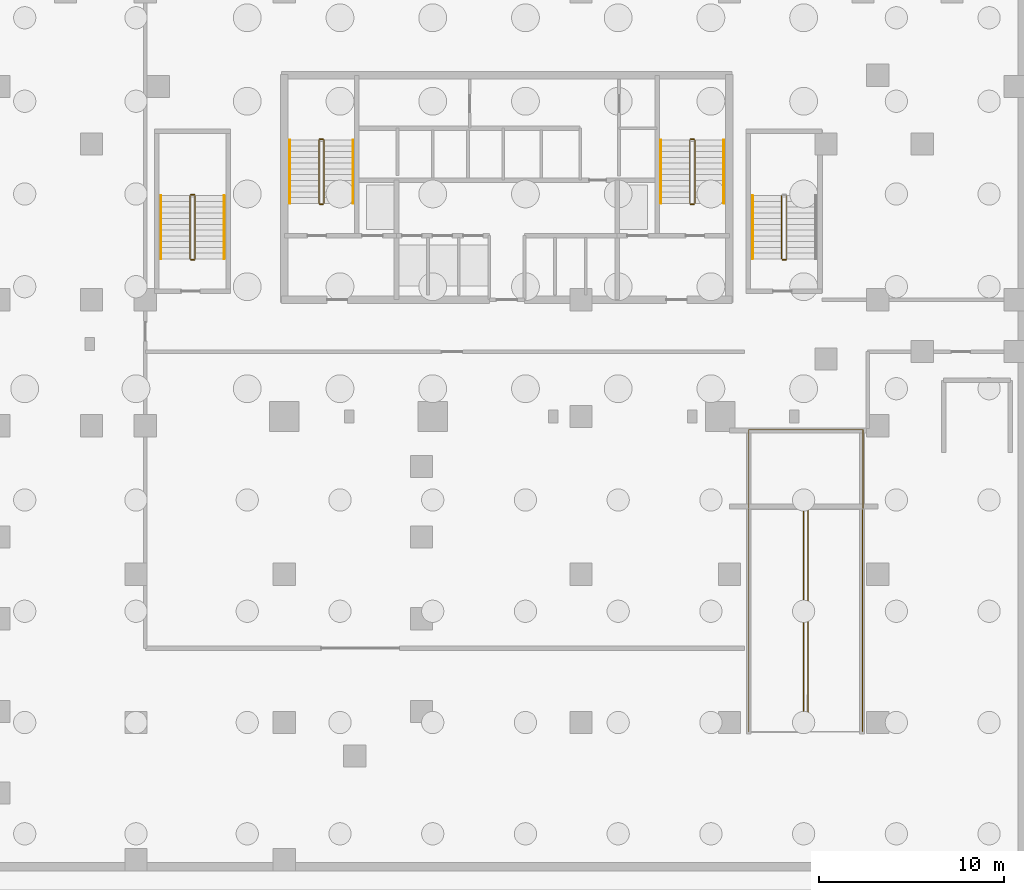
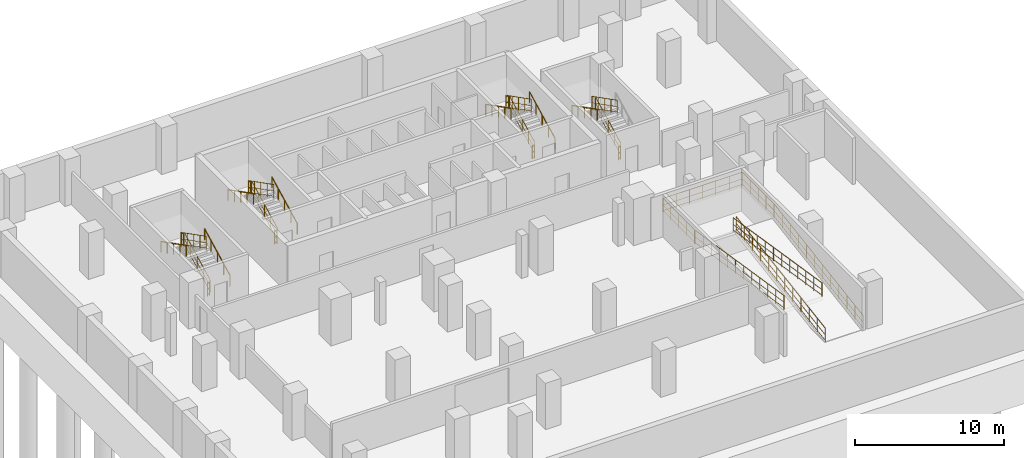
# One storey, part 4 of 6: 27 railings.
"""IFC4 building model written with IfcOpenShell, lengths in metres."""

from ifc_helpers import new_model, si_unit, direction, frame, origin, origin_2d, place, context, subcontext, project, spatial, circle, extrude, material, type_object, element, save


model = new_model("IFC4")

# Units and contexts
model_context = context("Model", 3, precision=1e-05, world=origin(), true_north=direction((0.0, 1.0)))
body_context = subcontext(model_context, "Body", "Model", "MODEL_VIEW")
ifc_project = project(units=[si_unit("LENGTHUNIT", "METRE"), si_unit("AREAUNIT", "SQUARE_METRE"), si_unit("VOLUMEUNIT", "CUBIC_METRE"), si_unit("PLANEANGLEUNIT", "RADIAN"), si_unit("MASSUNIT", "GRAM", prefix="KILO")], contexts=[model_context])

# Site, building, storey
site_placement = place(None, origin())
site = spatial("IfcSite", under=ifc_project, at=site_placement, CompositionType="ELEMENT")
building_placement = place(site_placement, origin())
building = spatial("IfcBuilding", under=site, at=building_placement, Name="Catumbela Crestline Tower", CompositionType="ELEMENT")
storey_placement = place(building_placement, frame((0.0, 0.0, -13.2)))
storey = spatial("IfcBuildingStorey", under=building, at=storey_placement, Name="B03", CompositionType="ELEMENT", Elevation=-13.2)

# Railings
ifc_material = material(Name="Stainless steel EN 1.4401", Category="steel")
railing_type_1 = type_object("IfcRailingType", Name="RG-1100", PredefinedType="GUARDRAIL", material=ifc_material)
railing_1_placement = place(storey_placement, frame((18.14, 36.0, 0.1583)))
element("IfcRailing", 1, at=railing_1_placement, inside=storey, type_object=railing_type_1, Name="B03 ST-01 stair guard 1", PredefinedType="GUARDRAIL", context=body_context, shape_type="SweptSolid", body=[
    extrude(circle(Radius=0.024, at=origin_2d()), frame((0.0, 0.0, 1.076), z_axis=(0.0, 0.890560473983, 0.454864861447), x_axis=(-1.0, 0.0, 0.0)), (0.0, 0.0, 1.0), 3.829),
    extrude(circle(Radius=0.0156, at=origin_2d()), frame((0.0, 0.0, 0.55), z_axis=(0.0, 0.890560473983, 0.454864861447), x_axis=(-1.0, 0.0, 0.0)), (0.0, 0.0, 1.0), 3.829),
    extrude(circle(Radius=0.0156, at=origin_2d()), frame((0.0, 0.0, 0.12), z_axis=(0.0, 0.890560473983, 0.454864861447), x_axis=(-1.0, 0.0, 0.0)), (0.0, 0.0, 1.0), 3.829),
    extrude(circle(Radius=0.021, at=origin_2d()), origin(), (0.0, 0.0, 1.0), 1.052),
    extrude(circle(Radius=0.021, at=origin_2d()), frame((0.0, 0.8525, 0.4354)), (0.0, 0.0, 1.0), 1.052),
    extrude(circle(Radius=0.021, at=origin_2d()), frame((0.0, 1.705, 0.8708)), (0.0, 0.0, 1.0), 1.052),
    extrude(circle(Radius=0.021, at=origin_2d()), frame((0.0, 2.5575, 1.3063)), (0.0, 0.0, 1.0), 1.052),
    extrude(circle(Radius=0.021, at=origin_2d()), frame((0.0, 3.41, 1.7417)), (0.0, 0.0, 1.0), 1.052),
])
railing_2_placement = place(storey_placement, frame((18.09, 39.46, 1.9)))
element("IfcRailing", 2, at=railing_2_placement, inside=storey, type_object=railing_type_1, Name="B03 ST-01 stair guard 2", PredefinedType="GUARDRAIL", context=body_context, shape_type="SweptSolid", body=[
    extrude(circle(Radius=0.024, at=origin_2d()), frame((0.0, 0.0, 1.076), z_axis=(-1.0, 0.0, 0.0), x_axis=(0.0, -1.0, 0.0)), (0.0, 0.0, 1.0), 0.18),
    extrude(circle(Radius=0.0156, at=origin_2d()), frame((0.0, 0.0, 0.55), z_axis=(-1.0, 0.0, 0.0), x_axis=(0.0, -1.0, 0.0)), (0.0, 0.0, 1.0), 0.18),
    extrude(circle(Radius=0.0156, at=origin_2d()), frame((0.0, 0.0, 0.12), z_axis=(-1.0, 0.0, 0.0), x_axis=(0.0, -1.0, 0.0)), (0.0, 0.0, 1.0), 0.18),
    extrude(circle(Radius=0.021, at=origin_2d()), origin(), (0.0, 0.0, 1.0), 1.052),
    extrude(circle(Radius=0.021, at=origin_2d()), frame((-0.18, 0.0, 0.0)), (0.0, 0.0, 1.0), 1.052),
])
railing_3_placement = place(storey_placement, frame((17.86, 39.41, 2.0583)))
element("IfcRailing", 3, at=railing_3_placement, inside=storey, type_object=railing_type_1, Name="B03 ST-01 stair guard 3", PredefinedType="GUARDRAIL", context=body_context, shape_type="SweptSolid", body=[
    extrude(circle(Radius=0.024, at=origin_2d()), frame((0.0, 0.0, 1.076), z_axis=(0.0, -0.890560473983, 0.454864861447), x_axis=(1.0, 0.0, 0.0)), (0.0, 0.0, 1.0), 3.829),
    extrude(circle(Radius=0.0156, at=origin_2d()), frame((0.0, 0.0, 0.55), z_axis=(0.0, -0.890560473983, 0.454864861447), x_axis=(1.0, 0.0, 0.0)), (0.0, 0.0, 1.0), 3.829),
    extrude(circle(Radius=0.0156, at=origin_2d()), frame((0.0, 0.0, 0.12), z_axis=(0.0, -0.890560473983, 0.454864861447), x_axis=(1.0, 0.0, 0.0)), (0.0, 0.0, 1.0), 3.829),
    extrude(circle(Radius=0.021, at=origin_2d()), origin(), (0.0, 0.0, 1.0), 1.052),
    extrude(circle(Radius=0.021, at=origin_2d()), frame((0.0, -0.8525, 0.4354)), (0.0, 0.0, 1.0), 1.052),
    extrude(circle(Radius=0.021, at=origin_2d()), frame((0.0, -1.705, 0.8708)), (0.0, 0.0, 1.0), 1.052),
    extrude(circle(Radius=0.021, at=origin_2d()), frame((0.0, -2.5575, 1.3063)), (0.0, 0.0, 1.0), 1.052),
    extrude(circle(Radius=0.021, at=origin_2d()), frame((0.0, -3.41, 1.7417)), (0.0, 0.0, 1.0), 1.052),
])
railing_4_placement = place(storey_placement, frame((18.09, 35.95, 0.0)))
element("IfcRailing", 4, at=railing_4_placement, inside=storey, type_object=railing_type_1, Name="B03 ST-01 stair guard 4", PredefinedType="GUARDRAIL", context=body_context, shape_type="SweptSolid", body=[
    extrude(circle(Radius=0.024, at=origin_2d()), frame((0.0, 0.0, 1.076), z_axis=(-1.0, 0.0, 0.0), x_axis=(0.0, -1.0, 0.0)), (0.0, 0.0, 1.0), 0.18),
    extrude(circle(Radius=0.0156, at=origin_2d()), frame((0.0, 0.0, 0.55), z_axis=(-1.0, 0.0, 0.0), x_axis=(0.0, -1.0, 0.0)), (0.0, 0.0, 1.0), 0.18),
    extrude(circle(Radius=0.0156, at=origin_2d()), frame((0.0, 0.0, 0.12), z_axis=(-1.0, 0.0, 0.0), x_axis=(0.0, -1.0, 0.0)), (0.0, 0.0, 1.0), 0.18),
    extrude(circle(Radius=0.021, at=origin_2d()), origin(), (0.0, 0.0, 1.0), 1.052),
    extrude(circle(Radius=0.021, at=origin_2d()), frame((-0.18, 0.0, 0.0)), (0.0, 0.0, 1.0), 1.052),
])
railing_5_placement = place(storey_placement, frame((38.14, 36.0, 0.1583)))
element("IfcRailing", 5, at=railing_5_placement, inside=storey, type_object=railing_type_1, Name="B03 ST-02 stair guard 1", PredefinedType="GUARDRAIL", context=body_context, shape_type="SweptSolid", body=[
    extrude(circle(Radius=0.024, at=origin_2d()), frame((0.0, 0.0, 1.076), z_axis=(0.0, 0.890560473983, 0.454864861447), x_axis=(-1.0, 0.0, 0.0)), (0.0, 0.0, 1.0), 3.829),
    extrude(circle(Radius=0.0156, at=origin_2d()), frame((0.0, 0.0, 0.55), z_axis=(0.0, 0.890560473983, 0.454864861447), x_axis=(-1.0, 0.0, 0.0)), (0.0, 0.0, 1.0), 3.829),
    extrude(circle(Radius=0.0156, at=origin_2d()), frame((0.0, 0.0, 0.12), z_axis=(0.0, 0.890560473983, 0.454864861447), x_axis=(-1.0, 0.0, 0.0)), (0.0, 0.0, 1.0), 3.829),
    extrude(circle(Radius=0.021, at=origin_2d()), origin(), (0.0, 0.0, 1.0), 1.052),
    extrude(circle(Radius=0.021, at=origin_2d()), frame((0.0, 0.8525, 0.4354)), (0.0, 0.0, 1.0), 1.052),
    extrude(circle(Radius=0.021, at=origin_2d()), frame((0.0, 1.705, 0.8708)), (0.0, 0.0, 1.0), 1.052),
    extrude(circle(Radius=0.021, at=origin_2d()), frame((0.0, 2.5575, 1.3063)), (0.0, 0.0, 1.0), 1.052),
    extrude(circle(Radius=0.021, at=origin_2d()), frame((0.0, 3.41, 1.7417)), (0.0, 0.0, 1.0), 1.052),
])
railing_6_placement = place(storey_placement, frame((38.09, 39.46, 1.9)))
element("IfcRailing", 6, at=railing_6_placement, inside=storey, type_object=railing_type_1, Name="B03 ST-02 stair guard 2", PredefinedType="GUARDRAIL", context=body_context, shape_type="SweptSolid", body=[
    extrude(circle(Radius=0.024, at=origin_2d()), frame((0.0, 0.0, 1.076), z_axis=(-1.0, 0.0, 0.0), x_axis=(0.0, -1.0, 0.0)), (0.0, 0.0, 1.0), 0.18),
    extrude(circle(Radius=0.0156, at=origin_2d()), frame((0.0, 0.0, 0.55), z_axis=(-1.0, 0.0, 0.0), x_axis=(0.0, -1.0, 0.0)), (0.0, 0.0, 1.0), 0.18),
    extrude(circle(Radius=0.0156, at=origin_2d()), frame((0.0, 0.0, 0.12), z_axis=(-1.0, 0.0, 0.0), x_axis=(0.0, -1.0, 0.0)), (0.0, 0.0, 1.0), 0.18),
    extrude(circle(Radius=0.021, at=origin_2d()), origin(), (0.0, 0.0, 1.0), 1.052),
    extrude(circle(Radius=0.021, at=origin_2d()), frame((-0.18, 0.0, 0.0)), (0.0, 0.0, 1.0), 1.052),
])
railing_7_placement = place(storey_placement, frame((37.86, 39.41, 2.0583)))
element("IfcRailing", 7, at=railing_7_placement, inside=storey, type_object=railing_type_1, Name="B03 ST-02 stair guard 3", PredefinedType="GUARDRAIL", context=body_context, shape_type="SweptSolid", body=[
    extrude(circle(Radius=0.024, at=origin_2d()), frame((0.0, 0.0, 1.076), z_axis=(0.0, -0.890560473983, 0.454864861447), x_axis=(1.0, 0.0, 0.0)), (0.0, 0.0, 1.0), 3.829),
    extrude(circle(Radius=0.0156, at=origin_2d()), frame((0.0, 0.0, 0.55), z_axis=(0.0, -0.890560473983, 0.454864861447), x_axis=(1.0, 0.0, 0.0)), (0.0, 0.0, 1.0), 3.829),
    extrude(circle(Radius=0.0156, at=origin_2d()), frame((0.0, 0.0, 0.12), z_axis=(0.0, -0.890560473983, 0.454864861447), x_axis=(1.0, 0.0, 0.0)), (0.0, 0.0, 1.0), 3.829),
    extrude(circle(Radius=0.021, at=origin_2d()), origin(), (0.0, 0.0, 1.0), 1.052),
    extrude(circle(Radius=0.021, at=origin_2d()), frame((0.0, -0.8525, 0.4354)), (0.0, 0.0, 1.0), 1.052),
    extrude(circle(Radius=0.021, at=origin_2d()), frame((0.0, -1.705, 0.8708)), (0.0, 0.0, 1.0), 1.052),
    extrude(circle(Radius=0.021, at=origin_2d()), frame((0.0, -2.5575, 1.3063)), (0.0, 0.0, 1.0), 1.052),
    extrude(circle(Radius=0.021, at=origin_2d()), frame((0.0, -3.41, 1.7417)), (0.0, 0.0, 1.0), 1.052),
])
railing_8_placement = place(storey_placement, frame((38.09, 35.95, 0.0)))
element("IfcRailing", 8, at=railing_8_placement, inside=storey, type_object=railing_type_1, Name="B03 ST-02 stair guard 4", PredefinedType="GUARDRAIL", context=body_context, shape_type="SweptSolid", body=[
    extrude(circle(Radius=0.024, at=origin_2d()), frame((0.0, 0.0, 1.076), z_axis=(-1.0, 0.0, 0.0), x_axis=(0.0, -1.0, 0.0)), (0.0, 0.0, 1.0), 0.18),
    extrude(circle(Radius=0.0156, at=origin_2d()), frame((0.0, 0.0, 0.55), z_axis=(-1.0, 0.0, 0.0), x_axis=(0.0, -1.0, 0.0)), (0.0, 0.0, 1.0), 0.18),
    extrude(circle(Radius=0.0156, at=origin_2d()), frame((0.0, 0.0, 0.12), z_axis=(-1.0, 0.0, 0.0), x_axis=(0.0, -1.0, 0.0)), (0.0, 0.0, 1.0), 0.18),
    extrude(circle(Radius=0.021, at=origin_2d()), origin(), (0.0, 0.0, 1.0), 1.052),
    extrude(circle(Radius=0.021, at=origin_2d()), frame((-0.18, 0.0, 0.0)), (0.0, 0.0, 1.0), 1.052),
])
railing_9_placement = place(storey_placement, frame((11.19, 33.0, 0.1583)))
element("IfcRailing", 9, at=railing_9_placement, inside=storey, type_object=railing_type_1, Name="B03 ST-03 stair guard 1", PredefinedType="GUARDRAIL", context=body_context, shape_type="SweptSolid", body=[
    extrude(circle(Radius=0.024, at=origin_2d()), frame((0.0, 0.0, 1.076), z_axis=(0.0, 0.890560473983, 0.454864861447), x_axis=(-1.0, 0.0, 0.0)), (0.0, 0.0, 1.0), 3.829),
    extrude(circle(Radius=0.0156, at=origin_2d()), frame((0.0, 0.0, 0.55), z_axis=(0.0, 0.890560473983, 0.454864861447), x_axis=(-1.0, 0.0, 0.0)), (0.0, 0.0, 1.0), 3.829),
    extrude(circle(Radius=0.0156, at=origin_2d()), frame((0.0, 0.0, 0.12), z_axis=(0.0, 0.890560473983, 0.454864861447), x_axis=(-1.0, 0.0, 0.0)), (0.0, 0.0, 1.0), 3.829),
    extrude(circle(Radius=0.021, at=origin_2d()), origin(), (0.0, 0.0, 1.0), 1.052),
    extrude(circle(Radius=0.021, at=origin_2d()), frame((0.0, 0.8525, 0.4354)), (0.0, 0.0, 1.0), 1.052),
    extrude(circle(Radius=0.021, at=origin_2d()), frame((0.0, 1.705, 0.8708)), (0.0, 0.0, 1.0), 1.052),
    extrude(circle(Radius=0.021, at=origin_2d()), frame((0.0, 2.5575, 1.3063)), (0.0, 0.0, 1.0), 1.052),
    extrude(circle(Radius=0.021, at=origin_2d()), frame((0.0, 3.41, 1.7417)), (0.0, 0.0, 1.0), 1.052),
])
railing_10_placement = place(storey_placement, frame((11.14, 36.46, 1.9)))
element("IfcRailing", 10, at=railing_10_placement, inside=storey, type_object=railing_type_1, Name="B03 ST-03 stair guard 2", PredefinedType="GUARDRAIL", context=body_context, shape_type="SweptSolid", body=[
    extrude(circle(Radius=0.024, at=origin_2d()), frame((0.0, 0.0, 1.076), z_axis=(-1.0, 0.0, 0.0), x_axis=(0.0, -1.0, 0.0)), (0.0, 0.0, 1.0), 0.18),
    extrude(circle(Radius=0.0156, at=origin_2d()), frame((0.0, 0.0, 0.55), z_axis=(-1.0, 0.0, 0.0), x_axis=(0.0, -1.0, 0.0)), (0.0, 0.0, 1.0), 0.18),
    extrude(circle(Radius=0.0156, at=origin_2d()), frame((0.0, 0.0, 0.12), z_axis=(-1.0, 0.0, 0.0), x_axis=(0.0, -1.0, 0.0)), (0.0, 0.0, 1.0), 0.18),
    extrude(circle(Radius=0.021, at=origin_2d()), origin(), (0.0, 0.0, 1.0), 1.052),
    extrude(circle(Radius=0.021, at=origin_2d()), frame((-0.18, 0.0, 0.0)), (0.0, 0.0, 1.0), 1.052),
])
railing_11_placement = place(storey_placement, frame((10.91, 36.41, 2.0583)))
element("IfcRailing", 11, at=railing_11_placement, inside=storey, type_object=railing_type_1, Name="B03 ST-03 stair guard 3", PredefinedType="GUARDRAIL", context=body_context, shape_type="SweptSolid", body=[
    extrude(circle(Radius=0.024, at=origin_2d()), frame((0.0, 0.0, 1.076), z_axis=(0.0, -0.890560473983, 0.454864861447), x_axis=(1.0, 0.0, 0.0)), (0.0, 0.0, 1.0), 3.829),
    extrude(circle(Radius=0.0156, at=origin_2d()), frame((0.0, 0.0, 0.55), z_axis=(0.0, -0.890560473983, 0.454864861447), x_axis=(1.0, 0.0, 0.0)), (0.0, 0.0, 1.0), 3.829),
    extrude(circle(Radius=0.0156, at=origin_2d()), frame((0.0, 0.0, 0.12), z_axis=(0.0, -0.890560473983, 0.454864861447), x_axis=(1.0, 0.0, 0.0)), (0.0, 0.0, 1.0), 3.829),
    extrude(circle(Radius=0.021, at=origin_2d()), origin(), (0.0, 0.0, 1.0), 1.052),
    extrude(circle(Radius=0.021, at=origin_2d()), frame((0.0, -0.8525, 0.4354)), (0.0, 0.0, 1.0), 1.052),
    extrude(circle(Radius=0.021, at=origin_2d()), frame((0.0, -1.705, 0.8708)), (0.0, 0.0, 1.0), 1.052),
    extrude(circle(Radius=0.021, at=origin_2d()), frame((0.0, -2.5575, 1.3063)), (0.0, 0.0, 1.0), 1.052),
    extrude(circle(Radius=0.021, at=origin_2d()), frame((0.0, -3.41, 1.7417)), (0.0, 0.0, 1.0), 1.052),
])
railing_12_placement = place(storey_placement, frame((11.14, 32.95, 0.0)))
element("IfcRailing", 12, at=railing_12_placement, inside=storey, type_object=railing_type_1, Name="B03 ST-03 stair guard 4", PredefinedType="GUARDRAIL", context=body_context, shape_type="SweptSolid", body=[
    extrude(circle(Radius=0.024, at=origin_2d()), frame((0.0, 0.0, 1.076), z_axis=(-1.0, 0.0, 0.0), x_axis=(0.0, -1.0, 0.0)), (0.0, 0.0, 1.0), 0.18),
    extrude(circle(Radius=0.0156, at=origin_2d()), frame((0.0, 0.0, 0.55), z_axis=(-1.0, 0.0, 0.0), x_axis=(0.0, -1.0, 0.0)), (0.0, 0.0, 1.0), 0.18),
    extrude(circle(Radius=0.0156, at=origin_2d()), frame((0.0, 0.0, 0.12), z_axis=(-1.0, 0.0, 0.0), x_axis=(0.0, -1.0, 0.0)), (0.0, 0.0, 1.0), 0.18),
    extrude(circle(Radius=0.021, at=origin_2d()), origin(), (0.0, 0.0, 1.0), 1.052),
    extrude(circle(Radius=0.021, at=origin_2d()), frame((-0.18, 0.0, 0.0)), (0.0, 0.0, 1.0), 1.052),
])
railing_13_placement = place(storey_placement, frame((43.09, 33.0, 0.1583)))
element("IfcRailing", 13, at=railing_13_placement, inside=storey, type_object=railing_type_1, Name="B03 ST-04 stair guard 1", PredefinedType="GUARDRAIL", context=body_context, shape_type="SweptSolid", body=[
    extrude(circle(Radius=0.024, at=origin_2d()), frame((0.0, 0.0, 1.076), z_axis=(0.0, 0.890560473983, 0.454864861447), x_axis=(-1.0, 0.0, 0.0)), (0.0, 0.0, 1.0), 3.829),
    extrude(circle(Radius=0.0156, at=origin_2d()), frame((0.0, 0.0, 0.55), z_axis=(0.0, 0.890560473983, 0.454864861447), x_axis=(-1.0, 0.0, 0.0)), (0.0, 0.0, 1.0), 3.829),
    extrude(circle(Radius=0.0156, at=origin_2d()), frame((0.0, 0.0, 0.12), z_axis=(0.0, 0.890560473983, 0.454864861447), x_axis=(-1.0, 0.0, 0.0)), (0.0, 0.0, 1.0), 3.829),
    extrude(circle(Radius=0.021, at=origin_2d()), origin(), (0.0, 0.0, 1.0), 1.052),
    extrude(circle(Radius=0.021, at=origin_2d()), frame((0.0, 0.8525, 0.4354)), (0.0, 0.0, 1.0), 1.052),
    extrude(circle(Radius=0.021, at=origin_2d()), frame((0.0, 1.705, 0.8708)), (0.0, 0.0, 1.0), 1.052),
    extrude(circle(Radius=0.021, at=origin_2d()), frame((0.0, 2.5575, 1.3063)), (0.0, 0.0, 1.0), 1.052),
    extrude(circle(Radius=0.021, at=origin_2d()), frame((0.0, 3.41, 1.7417)), (0.0, 0.0, 1.0), 1.052),
])
railing_14_placement = place(storey_placement, frame((42.81, 36.41, 2.0583)))
element("IfcRailing", 14, at=railing_14_placement, inside=storey, type_object=railing_type_1, Name="B03 ST-04 stair guard 3", PredefinedType="GUARDRAIL", context=body_context, shape_type="SweptSolid", body=[
    extrude(circle(Radius=0.024, at=origin_2d()), frame((0.0, 0.0, 1.076), z_axis=(0.0, -0.890560473983, 0.454864861447), x_axis=(1.0, 0.0, 0.0)), (0.0, 0.0, 1.0), 3.829),
    extrude(circle(Radius=0.0156, at=origin_2d()), frame((0.0, 0.0, 0.55), z_axis=(0.0, -0.890560473983, 0.454864861447), x_axis=(1.0, 0.0, 0.0)), (0.0, 0.0, 1.0), 3.829),
    extrude(circle(Radius=0.0156, at=origin_2d()), frame((0.0, 0.0, 0.12), z_axis=(0.0, -0.890560473983, 0.454864861447), x_axis=(1.0, 0.0, 0.0)), (0.0, 0.0, 1.0), 3.829),
    extrude(circle(Radius=0.021, at=origin_2d()), origin(), (0.0, 0.0, 1.0), 1.052),
    extrude(circle(Radius=0.021, at=origin_2d()), frame((0.0, -0.8525, 0.4354)), (0.0, 0.0, 1.0), 1.052),
    extrude(circle(Radius=0.021, at=origin_2d()), frame((0.0, -1.705, 0.8708)), (0.0, 0.0, 1.0), 1.052),
    extrude(circle(Radius=0.021, at=origin_2d()), frame((0.0, -2.5575, 1.3063)), (0.0, 0.0, 1.0), 1.052),
    extrude(circle(Radius=0.021, at=origin_2d()), frame((0.0, -3.41, 1.7417)), (0.0, 0.0, 1.0), 1.052),
])
railing_15_placement = place(storey_placement, frame((43.04, 32.95, 0.0)))
element("IfcRailing", 15, at=railing_15_placement, inside=storey, type_object=railing_type_1, Name="B03 ST-04 stair guard 4", PredefinedType="GUARDRAIL", context=body_context, shape_type="SweptSolid", body=[
    extrude(circle(Radius=0.024, at=origin_2d()), frame((0.0, 0.0, 1.076), z_axis=(-1.0, 0.0, 0.0), x_axis=(0.0, -1.0, 0.0)), (0.0, 0.0, 1.0), 0.18),
    extrude(circle(Radius=0.0156, at=origin_2d()), frame((0.0, 0.0, 0.55), z_axis=(-1.0, 0.0, 0.0), x_axis=(0.0, -1.0, 0.0)), (0.0, 0.0, 1.0), 0.18),
    extrude(circle(Radius=0.0156, at=origin_2d()), frame((0.0, 0.0, 0.12), z_axis=(-1.0, 0.0, 0.0), x_axis=(0.0, -1.0, 0.0)), (0.0, 0.0, 1.0), 0.18),
    extrude(circle(Radius=0.021, at=origin_2d()), origin(), (0.0, 0.0, 1.0), 1.052),
    extrude(circle(Radius=0.021, at=origin_2d()), frame((-0.18, 0.0, 0.0)), (0.0, 0.0, 1.0), 1.052),
])
railing_type_2 = type_object("IfcRailingType", Name="RH-0900", PredefinedType="HANDRAIL", material=ifc_material)
railing_16_placement = place(storey_placement, frame((19.7, 36.0, 0.1583)))
element("IfcRailing", 16, at=railing_16_placement, inside=storey, type_object=railing_type_2, Name="B03 ST-01 stair handrail 1", PredefinedType="HANDRAIL", context=body_context, shape_type="SweptSolid", body=[
    extrude(circle(Radius=0.024, at=origin_2d()), frame((0.0, 0.0, 0.876), z_axis=(0.0, 0.890560473983, 0.454864861447), x_axis=(-1.0, 0.0, 0.0)), (0.0, 0.0, 1.0), 3.829),
    extrude(circle(Radius=0.021, at=origin_2d()), origin(), (0.0, 0.0, 1.0), 0.852),
    extrude(circle(Radius=0.021, at=origin_2d()), frame((0.0, 0.8525, 0.4354)), (0.0, 0.0, 1.0), 0.852),
    extrude(circle(Radius=0.021, at=origin_2d()), frame((0.0, 1.705, 0.8708)), (0.0, 0.0, 1.0), 0.852),
    extrude(circle(Radius=0.021, at=origin_2d()), frame((0.0, 2.5575, 1.3063)), (0.0, 0.0, 1.0), 0.852),
    extrude(circle(Radius=0.021, at=origin_2d()), frame((0.0, 3.41, 1.7417)), (0.0, 0.0, 1.0), 0.852),
])
railing_17_placement = place(storey_placement, frame((16.3, 39.41, 2.0583)))
element("IfcRailing", 17, at=railing_17_placement, inside=storey, type_object=railing_type_2, Name="B03 ST-01 stair handrail 2", PredefinedType="HANDRAIL", context=body_context, shape_type="SweptSolid", body=[
    extrude(circle(Radius=0.024, at=origin_2d()), frame((0.0, 0.0, 0.876), z_axis=(0.0, -0.890560473983, 0.454864861447), x_axis=(1.0, 0.0, 0.0)), (0.0, 0.0, 1.0), 3.829),
    extrude(circle(Radius=0.021, at=origin_2d()), origin(), (0.0, 0.0, 1.0), 0.852),
    extrude(circle(Radius=0.021, at=origin_2d()), frame((0.0, -0.8525, 0.4354)), (0.0, 0.0, 1.0), 0.852),
    extrude(circle(Radius=0.021, at=origin_2d()), frame((0.0, -1.705, 0.8708)), (0.0, 0.0, 1.0), 0.852),
    extrude(circle(Radius=0.021, at=origin_2d()), frame((0.0, -2.5575, 1.3063)), (0.0, 0.0, 1.0), 0.852),
    extrude(circle(Radius=0.021, at=origin_2d()), frame((0.0, -3.41, 1.7417)), (0.0, 0.0, 1.0), 0.852),
])
railing_18_placement = place(storey_placement, frame((39.7, 36.0, 0.1583)))
element("IfcRailing", 18, at=railing_18_placement, inside=storey, type_object=railing_type_2, Name="B03 ST-02 stair handrail 1", PredefinedType="HANDRAIL", context=body_context, shape_type="SweptSolid", body=[
    extrude(circle(Radius=0.024, at=origin_2d()), frame((0.0, 0.0, 0.876), z_axis=(0.0, 0.890560473983, 0.454864861447), x_axis=(-1.0, 0.0, 0.0)), (0.0, 0.0, 1.0), 3.829),
    extrude(circle(Radius=0.021, at=origin_2d()), origin(), (0.0, 0.0, 1.0), 0.852),
    extrude(circle(Radius=0.021, at=origin_2d()), frame((0.0, 0.8525, 0.4354)), (0.0, 0.0, 1.0), 0.852),
    extrude(circle(Radius=0.021, at=origin_2d()), frame((0.0, 1.705, 0.8708)), (0.0, 0.0, 1.0), 0.852),
    extrude(circle(Radius=0.021, at=origin_2d()), frame((0.0, 2.5575, 1.3063)), (0.0, 0.0, 1.0), 0.852),
    extrude(circle(Radius=0.021, at=origin_2d()), frame((0.0, 3.41, 1.7417)), (0.0, 0.0, 1.0), 0.852),
])
railing_19_placement = place(storey_placement, frame((36.3, 39.41, 2.0583)))
element("IfcRailing", 19, at=railing_19_placement, inside=storey, type_object=railing_type_2, Name="B03 ST-02 stair handrail 2", PredefinedType="HANDRAIL", context=body_context, shape_type="SweptSolid", body=[
    extrude(circle(Radius=0.024, at=origin_2d()), frame((0.0, 0.0, 0.876), z_axis=(0.0, -0.890560473983, 0.454864861447), x_axis=(1.0, 0.0, 0.0)), (0.0, 0.0, 1.0), 3.829),
    extrude(circle(Radius=0.021, at=origin_2d()), origin(), (0.0, 0.0, 1.0), 0.852),
    extrude(circle(Radius=0.021, at=origin_2d()), frame((0.0, -0.8525, 0.4354)), (0.0, 0.0, 1.0), 0.852),
    extrude(circle(Radius=0.021, at=origin_2d()), frame((0.0, -1.705, 0.8708)), (0.0, 0.0, 1.0), 0.852),
    extrude(circle(Radius=0.021, at=origin_2d()), frame((0.0, -2.5575, 1.3063)), (0.0, 0.0, 1.0), 0.852),
    extrude(circle(Radius=0.021, at=origin_2d()), frame((0.0, -3.41, 1.7417)), (0.0, 0.0, 1.0), 0.852),
])
railing_20_placement = place(storey_placement, frame((12.75, 33.0, 0.1583)))
element("IfcRailing", 20, at=railing_20_placement, inside=storey, type_object=railing_type_2, Name="B03 ST-03 stair handrail 1", PredefinedType="HANDRAIL", context=body_context, shape_type="SweptSolid", body=[
    extrude(circle(Radius=0.024, at=origin_2d()), frame((0.0, 0.0, 0.876), z_axis=(0.0, 0.890560473983, 0.454864861447), x_axis=(-1.0, 0.0, 0.0)), (0.0, 0.0, 1.0), 3.829),
    extrude(circle(Radius=0.021, at=origin_2d()), origin(), (0.0, 0.0, 1.0), 0.852),
    extrude(circle(Radius=0.021, at=origin_2d()), frame((0.0, 0.8525, 0.4354)), (0.0, 0.0, 1.0), 0.852),
    extrude(circle(Radius=0.021, at=origin_2d()), frame((0.0, 1.705, 0.8708)), (0.0, 0.0, 1.0), 0.852),
    extrude(circle(Radius=0.021, at=origin_2d()), frame((0.0, 2.5575, 1.3063)), (0.0, 0.0, 1.0), 0.852),
    extrude(circle(Radius=0.021, at=origin_2d()), frame((0.0, 3.41, 1.7417)), (0.0, 0.0, 1.0), 0.852),
])
for number, where, name in (
    (21, (9.35, 36.41, 2.0583), "B03 ST-03 stair handrail 2"),
    (22, (41.25, 36.41, 2.0583), "B03 ST-04 stair handrail 2"),
):
    element("IfcRailing", number, at=place(storey_placement, frame(where)), inside=storey, type_object=railing_type_2, Name=name, PredefinedType="HANDRAIL", context=body_context, shape_type="SweptSolid", body=[
        extrude(circle(Radius=0.024, at=origin_2d()), frame((0.0, 0.0, 0.876), z_axis=(0.0, -0.890560473983, 0.454864861447), x_axis=(1.0, 0.0, 0.0)), (0.0, 0.0, 1.0), 3.829),
        extrude(circle(Radius=0.021, at=origin_2d()), origin(), (0.0, 0.0, 1.0), 0.852),
        extrude(circle(Radius=0.021, at=origin_2d()), frame((0.0, -0.8525, 0.4354)), (0.0, 0.0, 1.0), 0.852),
        extrude(circle(Radius=0.021, at=origin_2d()), frame((0.0, -1.705, 0.8708)), (0.0, 0.0, 1.0), 0.852),
        extrude(circle(Radius=0.021, at=origin_2d()), frame((0.0, -2.5575, 1.3063)), (0.0, 0.0, 1.0), 0.852),
        extrude(circle(Radius=0.021, at=origin_2d()), frame((0.0, -3.41, 1.7417)), (0.0, 0.0, 1.0), 0.852),
    ])
railing_type_3 = type_object("IfcRailingType", Name="RT-1150", PredefinedType="BALUSTRADE", material=ifc_material)
for number, where, name in (
    (23, (44.24, 7.52, 0.0), "B03 Vehicle Ramp Lower West Safety Guard"),
    (24, (47.18, 7.52, 0.0), "B03 Vehicle Ramp Lower East Safety Guard"),
):
    element("IfcRailing", number, at=place(storey_placement, frame(where)), inside=storey, type_object=railing_type_3, Name=name, PredefinedType="BALUSTRADE", context=body_context, shape_type="SweptSolid", body=[
        extrude(circle(Radius=0.024, at=origin_2d()), frame((0.0, 0.0, 1.126), z_axis=(0.0, 0.987615226131, 0.156895395456), x_axis=(-1.0, 0.0, 0.0)), (0.0, 0.0, 1.0), 12.11),
        extrude(circle(Radius=0.0156, at=origin_2d()), frame((0.0, 0.0, 0.575), z_axis=(0.0, 0.987615226131, 0.156895395456), x_axis=(-1.0, 0.0, 0.0)), (0.0, 0.0, 1.0), 12.11),
        extrude(circle(Radius=0.0156, at=origin_2d()), frame((0.0, 0.0, 0.12), z_axis=(0.0, 0.987615226131, 0.156895395456), x_axis=(-1.0, 0.0, 0.0)), (0.0, 0.0, 1.0), 12.11),
        extrude(circle(Radius=0.021, at=origin_2d()), origin(), (0.0, 0.0, 1.0), 1.102),
        extrude(circle(Radius=0.021, at=origin_2d()), frame((0.0, 1.0873, 0.1727)), (0.0, 0.0, 1.0), 1.102),
        extrude(circle(Radius=0.021, at=origin_2d()), frame((0.0, 2.1745, 0.3455)), (0.0, 0.0, 1.0), 1.102),
        extrude(circle(Radius=0.021, at=origin_2d()), frame((0.0, 3.2618, 0.5182)), (0.0, 0.0, 1.0), 1.102),
        extrude(circle(Radius=0.021, at=origin_2d()), frame((0.0, 4.3491, 0.6909)), (0.0, 0.0, 1.0), 1.102),
        extrude(circle(Radius=0.021, at=origin_2d()), frame((0.0, 5.4364, 0.8636)), (0.0, 0.0, 1.0), 1.102),
        extrude(circle(Radius=0.021, at=origin_2d()), frame((0.0, 6.5236, 1.0364)), (0.0, 0.0, 1.0), 1.102),
        extrude(circle(Radius=0.021, at=origin_2d()), frame((0.0, 7.6109, 1.2091)), (0.0, 0.0, 1.0), 1.102),
        extrude(circle(Radius=0.021, at=origin_2d()), frame((0.0, 8.6982, 1.3818)), (0.0, 0.0, 1.0), 1.102),
        extrude(circle(Radius=0.021, at=origin_2d()), frame((0.0, 9.7855, 1.5545)), (0.0, 0.0, 1.0), 1.102),
        extrude(circle(Radius=0.021, at=origin_2d()), frame((0.0, 10.8727, 1.7273)), (0.0, 0.0, 1.0), 1.102),
        extrude(circle(Radius=0.021, at=origin_2d()), frame((0.0, 11.96, 1.9)), (0.0, 0.0, 1.0), 1.102),
    ])
railing_21_placement = place(storey_placement, frame((43.99, 19.48, 1.9)))
element("IfcRailing", 25, at=railing_21_placement, inside=storey, type_object=railing_type_3, Name="B03 Vehicle Ramp Upper Median Safety Guard", PredefinedType="BALUSTRADE", context=body_context, shape_type="SweptSolid", body=[
    extrude(circle(Radius=0.024, at=origin_2d()), frame((0.0, 0.0, 1.126), z_axis=(0.0, -0.987615226131, 0.156895395456), x_axis=(1.0, 0.0, 0.0)), (0.0, 0.0, 1.0), 12.11),
    extrude(circle(Radius=0.0156, at=origin_2d()), frame((0.0, 0.0, 0.575), z_axis=(0.0, -0.987615226131, 0.156895395456), x_axis=(1.0, 0.0, 0.0)), (0.0, 0.0, 1.0), 12.11),
    extrude(circle(Radius=0.0156, at=origin_2d()), frame((0.0, 0.0, 0.12), z_axis=(0.0, -0.987615226131, 0.156895395456), x_axis=(1.0, 0.0, 0.0)), (0.0, 0.0, 1.0), 12.11),
    extrude(circle(Radius=0.021, at=origin_2d()), origin(), (0.0, 0.0, 1.0), 1.102),
    extrude(circle(Radius=0.021, at=origin_2d()), frame((0.0, -1.0873, 0.1727)), (0.0, 0.0, 1.0), 1.102),
    extrude(circle(Radius=0.021, at=origin_2d()), frame((0.0, -2.1745, 0.3455)), (0.0, 0.0, 1.0), 1.102),
    extrude(circle(Radius=0.021, at=origin_2d()), frame((0.0, -3.2618, 0.5182)), (0.0, 0.0, 1.0), 1.102),
    extrude(circle(Radius=0.021, at=origin_2d()), frame((0.0, -4.3491, 0.6909)), (0.0, 0.0, 1.0), 1.102),
    extrude(circle(Radius=0.021, at=origin_2d()), frame((0.0, -5.4364, 0.8636)), (0.0, 0.0, 1.0), 1.102),
    extrude(circle(Radius=0.021, at=origin_2d()), frame((0.0, -6.5236, 1.0364)), (0.0, 0.0, 1.0), 1.102),
    extrude(circle(Radius=0.021, at=origin_2d()), frame((0.0, -7.6109, 1.2091)), (0.0, 0.0, 1.0), 1.102),
    extrude(circle(Radius=0.021, at=origin_2d()), frame((0.0, -8.6982, 1.3818)), (0.0, 0.0, 1.0), 1.102),
    extrude(circle(Radius=0.021, at=origin_2d()), frame((0.0, -9.7855, 1.5545)), (0.0, 0.0, 1.0), 1.102),
    extrude(circle(Radius=0.021, at=origin_2d()), frame((0.0, -10.8727, 1.7273)), (0.0, 0.0, 1.0), 1.102),
    extrude(circle(Radius=0.021, at=origin_2d()), frame((0.0, -11.96, 1.9)), (0.0, 0.0, 1.0), 1.102),
])
railing_22_placement = place(storey_placement, frame((41.04, 19.48, 1.9)))
element("IfcRailing", 26, at=railing_22_placement, inside=storey, type_object=railing_type_3, Name="B03 Vehicle Ramp Upper West Safety Guard", PredefinedType="BALUSTRADE", context=body_context, shape_type="SweptSolid", body=[
    extrude(circle(Radius=0.024, at=origin_2d()), frame((0.0, 0.0, 1.126), z_axis=(0.0, -0.987615226131, 0.156895395456), x_axis=(1.0, 0.0, 0.0)), (0.0, 0.0, 1.0), 12.11),
    extrude(circle(Radius=0.0156, at=origin_2d()), frame((0.0, 0.0, 0.575), z_axis=(0.0, -0.987615226131, 0.156895395456), x_axis=(1.0, 0.0, 0.0)), (0.0, 0.0, 1.0), 12.11),
    extrude(circle(Radius=0.0156, at=origin_2d()), frame((0.0, 0.0, 0.12), z_axis=(0.0, -0.987615226131, 0.156895395456), x_axis=(1.0, 0.0, 0.0)), (0.0, 0.0, 1.0), 12.11),
    extrude(circle(Radius=0.021, at=origin_2d()), origin(), (0.0, 0.0, 1.0), 1.102),
    extrude(circle(Radius=0.021, at=origin_2d()), frame((0.0, -1.0873, 0.1727)), (0.0, 0.0, 1.0), 1.102),
    extrude(circle(Radius=0.021, at=origin_2d()), frame((0.0, -2.1745, 0.3455)), (0.0, 0.0, 1.0), 1.102),
    extrude(circle(Radius=0.021, at=origin_2d()), frame((0.0, -3.2618, 0.5182)), (0.0, 0.0, 1.0), 1.102),
    extrude(circle(Radius=0.021, at=origin_2d()), frame((0.0, -4.3491, 0.6909)), (0.0, 0.0, 1.0), 1.102),
    extrude(circle(Radius=0.021, at=origin_2d()), frame((0.0, -5.4364, 0.8636)), (0.0, 0.0, 1.0), 1.102),
    extrude(circle(Radius=0.021, at=origin_2d()), frame((0.0, -6.5236, 1.0364)), (0.0, 0.0, 1.0), 1.102),
    extrude(circle(Radius=0.021, at=origin_2d()), frame((0.0, -7.6109, 1.2091)), (0.0, 0.0, 1.0), 1.102),
    extrude(circle(Radius=0.021, at=origin_2d()), frame((0.0, -8.6982, 1.3818)), (0.0, 0.0, 1.0), 1.102),
    extrude(circle(Radius=0.021, at=origin_2d()), frame((0.0, -9.7855, 1.5545)), (0.0, 0.0, 1.0), 1.102),
    extrude(circle(Radius=0.021, at=origin_2d()), frame((0.0, -10.8727, 1.7273)), (0.0, 0.0, 1.0), 1.102),
    extrude(circle(Radius=0.021, at=origin_2d()), frame((0.0, -11.96, 1.9)), (0.0, 0.0, 1.0), 1.102),
])
railing_23_placement = place(storey_placement, frame((41.04, 19.56, 1.9)))
element("IfcRailing", 27, at=railing_23_placement, inside=storey, type_object=railing_type_3, Name="B03 Vehicle Ramp Mid-Landing Perimeter Guard", PredefinedType="BALUSTRADE", context=body_context, shape_type="SweptSolid", body=[
    extrude(circle(Radius=0.024, at=origin_2d()), frame((0.0, 0.0, 1.126), z_axis=(0.0, 1.0, 0.0), x_axis=(-1.0, 0.0, 0.0)), (0.0, 0.0, 1.0), 4.23),
    extrude(circle(Radius=0.0156, at=origin_2d()), frame((0.0, 0.0, 0.575), z_axis=(0.0, 1.0, 0.0), x_axis=(-1.0, 0.0, 0.0)), (0.0, 0.0, 1.0), 4.23),
    extrude(circle(Radius=0.0156, at=origin_2d()), frame((0.0, 0.0, 0.12), z_axis=(0.0, 1.0, 0.0), x_axis=(-1.0, 0.0, 0.0)), (0.0, 0.0, 1.0), 4.23),
    extrude(circle(Radius=0.024, at=origin_2d()), frame((0.0, 4.23, 1.126), z_axis=(1.0, 0.0, 0.0), x_axis=(0.0, 1.0, 0.0)), (0.0, 0.0, 1.0), 6.16),
    extrude(circle(Radius=0.0156, at=origin_2d()), frame((0.0, 4.23, 0.575), z_axis=(1.0, 0.0, 0.0), x_axis=(0.0, 1.0, 0.0)), (0.0, 0.0, 1.0), 6.16),
    extrude(circle(Radius=0.0156, at=origin_2d()), frame((0.0, 4.23, 0.12), z_axis=(1.0, 0.0, 0.0), x_axis=(0.0, 1.0, 0.0)), (0.0, 0.0, 1.0), 6.16),
    extrude(circle(Radius=0.024, at=origin_2d()), frame((6.16, 4.23, 1.126), z_axis=(0.0, -1.0, 0.0), x_axis=(1.0, 0.0, 0.0)), (0.0, 0.0, 1.0), 4.23),
    extrude(circle(Radius=0.0156, at=origin_2d()), frame((6.16, 4.23, 0.575), z_axis=(0.0, -1.0, 0.0), x_axis=(1.0, 0.0, 0.0)), (0.0, 0.0, 1.0), 4.23),
    extrude(circle(Radius=0.0156, at=origin_2d()), frame((6.16, 4.23, 0.12), z_axis=(0.0, -1.0, 0.0), x_axis=(1.0, 0.0, 0.0)), (0.0, 0.0, 1.0), 4.23),
    extrude(circle(Radius=0.021, at=origin_2d()), origin(), (0.0, 0.0, 1.0), 1.102),
    extrude(circle(Radius=0.021, at=origin_2d()), frame((0.0, 1.0575, 0.0)), (0.0, 0.0, 1.0), 1.102),
    extrude(circle(Radius=0.021, at=origin_2d()), frame((0.0, 2.115, 0.0)), (0.0, 0.0, 1.0), 1.102),
    extrude(circle(Radius=0.021, at=origin_2d()), frame((0.0, 3.1725, 0.0)), (0.0, 0.0, 1.0), 1.102),
    extrude(circle(Radius=0.021, at=origin_2d()), frame((0.0, 4.23, 0.0)), (0.0, 0.0, 1.0), 1.102),
    extrude(circle(Radius=0.021, at=origin_2d()), frame((1.0267, 4.23, 0.0)), (0.0, 0.0, 1.0), 1.102),
    extrude(circle(Radius=0.021, at=origin_2d()), frame((2.0533, 4.23, 0.0)), (0.0, 0.0, 1.0), 1.102),
    extrude(circle(Radius=0.021, at=origin_2d()), frame((3.08, 4.23, 0.0)), (0.0, 0.0, 1.0), 1.102),
    extrude(circle(Radius=0.021, at=origin_2d()), frame((4.1067, 4.23, 0.0)), (0.0, 0.0, 1.0), 1.102),
    extrude(circle(Radius=0.021, at=origin_2d()), frame((5.1333, 4.23, 0.0)), (0.0, 0.0, 1.0), 1.102),
    extrude(circle(Radius=0.021, at=origin_2d()), frame((6.16, 4.23, 0.0)), (0.0, 0.0, 1.0), 1.102),
    extrude(circle(Radius=0.021, at=origin_2d()), frame((6.16, 3.1725, 0.0)), (0.0, 0.0, 1.0), 1.102),
    extrude(circle(Radius=0.021, at=origin_2d()), frame((6.16, 2.115, 0.0)), (0.0, 0.0, 1.0), 1.102),
    extrude(circle(Radius=0.021, at=origin_2d()), frame((6.16, 1.0575, 0.0)), (0.0, 0.0, 1.0), 1.102),
    extrude(circle(Radius=0.021, at=origin_2d()), frame((6.16, 0.0, 0.0)), (0.0, 0.0, 1.0), 1.102),
])

save(model, "model.ifc")
